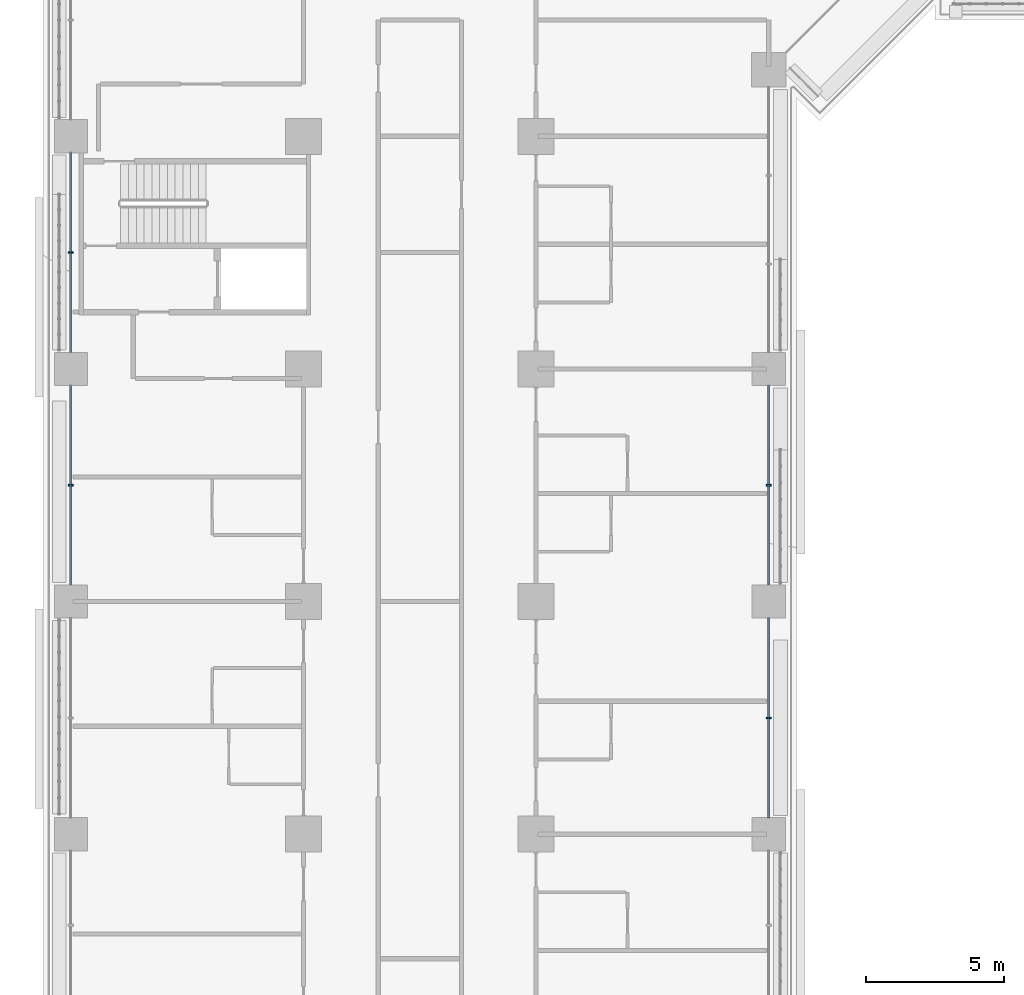
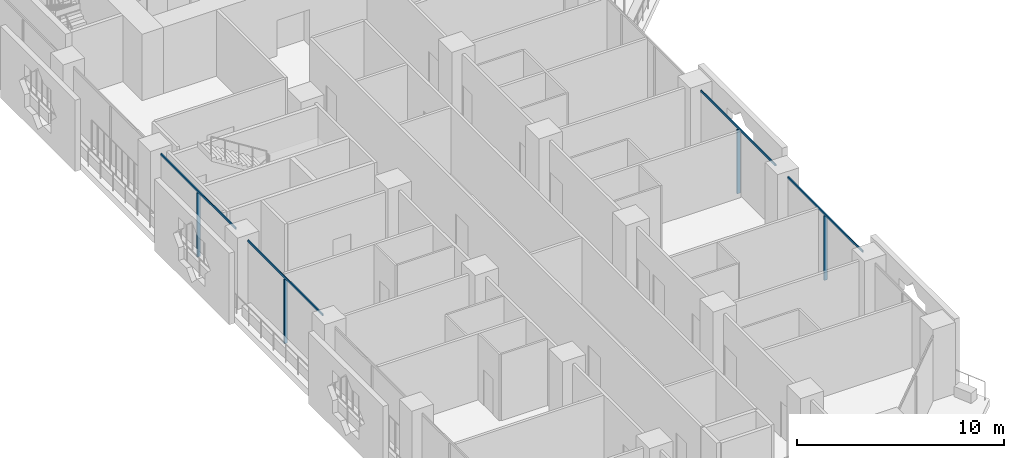
# One storey, part 3 of 29: 8 members, 2 elements without a shape of their own.
"""IFC4 building model written with IfcOpenShell, lengths in metres."""

from ifc_helpers import new_model, si_unit, direction, frame, origin, origin_2d, place, context, subcontext, project, spatial, rectangle, extrude, material, layer, layer_set, material_profile, profile_set, type_object, element, aggregate, save


model = new_model("IFC4")

# Units and contexts
model_context = context("Model", 3, precision=1e-05, world=origin(), true_north=direction((0.0, 1.0)))
body_context = subcontext(model_context, "Body", "Model", "MODEL_VIEW")
ifc_project = project(units=[si_unit("LENGTHUNIT", "METRE"), si_unit("AREAUNIT", "SQUARE_METRE"), si_unit("VOLUMEUNIT", "CUBIC_METRE"), si_unit("PLANEANGLEUNIT", "RADIAN"), si_unit("MASSUNIT", "GRAM", prefix="KILO")], contexts=[model_context])

# Site, building, storey
site_placement = place(None, origin())
site = spatial("IfcSite", under=ifc_project, at=site_placement, CompositionType="ELEMENT")
building_placement = place(site_placement, origin())
building = spatial("IfcBuilding", under=site, at=building_placement, Name="Kawkab Arch Medical Tower", CompositionType="ELEMENT")
storey_placement = place(building_placement, frame((0.0, 0.0, 64.39990234375)))
storey = spatial("IfcBuildingStorey", under=building, at=storey_placement, Name="L14", CompositionType="ELEMENT", Elevation=64.39990234375)

# Curtain wall, members
ifc_material_1 = material(Name="Bronze anodised aluminium curtain wall frame", Category="aluminium")
ifc_layer = layer(ifc_material_1, 0.159912109375)
ifc_layer_set = layer_set([ifc_layer], Name="Bronze anodised aluminium curtain wall frame")
curtain_wall_type = type_object("IfcCurtainWallType", Name="CW1 ward curtain wall", PredefinedType="NOTDEFINED", material=ifc_layer_set)
placement = place(storey_placement, origin())
curtain_wall_1 = element("IfcCurtainWall", 1, at=placement, inside=storey, type_object=curtain_wall_type, Name="CW1 Ward curtain wall R01", PredefinedType="NOTDEFINED")
ifc_material_2 = material(Name="Bronze anodised aluminium curtain wall frame", Category="aluminium")
ifc_material_profile_1 = material_profile(ifc_material_2, rectangle(XDim=0.179931640625, YDim=0.06005859375, at=origin_2d()), Name="AL 60x180")
ifc_profile_set_1 = profile_set([ifc_material_profile_1], Name="Bronze anodised aluminium curtain wall frame")
member_type_1 = type_object("IfcMemberType", Name="CW1 mullion 60 x 180", PredefinedType="MULLION", material=ifc_profile_set_1)
member_1_placement = place(storey_placement, frame((0.0, -37.800048828125, 0.0), z_axis=(0.0, 0.0, 1.0), x_axis=(1.0, 0.0, 0.0)))
member_1 = element("IfcMember", 2, at=member_1_placement, type_object=member_type_1, Name="CW1 mullion 4.1", PredefinedType="MULLION", context=body_context, shape_type="SweptSolid", body=[
    extrude(rectangle(XDim=0.179931640625, YDim=0.06005859375, at=origin_2d()), origin(), (0.0, 0.0, 1.0), 3.780029296875),
])
member_2_placement = place(storey_placement, frame((0.0, -46.199951171875, 0.0), z_axis=(0.0, 0.0, 1.0), x_axis=(1.0, 0.0, 0.0)))
member_2 = element("IfcMember", 3, at=member_2_placement, type_object=member_type_1, Name="CW1 mullion 5.1", PredefinedType="MULLION", context=body_context, shape_type="SweptSolid", body=[
    extrude(rectangle(XDim=0.179931640625, YDim=0.06005859375, at=origin_2d()), origin(), (0.0, 0.0, 1.0), 3.780029296875),
])

curtain_wall_2 = element("IfcCurtainWall", 4, at=placement, inside=storey, type_object=curtain_wall_type, Name="CW1 Ward curtain wall R05", PredefinedType="NOTDEFINED")
member_3_placement = place(storey_placement, frame((25.199951171875, -54.60009765625, 0.0), z_axis=(0.0, 0.0, 1.0), x_axis=(-1.0, 0.0, 0.0)))
member_3 = element("IfcMember", 5, at=member_3_placement, type_object=member_type_1, Name="CW1 mullion 2.1", PredefinedType="MULLION", context=body_context, shape_type="SweptSolid", body=[
    extrude(rectangle(XDim=0.179931640625, YDim=0.06005859375, at=origin_2d()), origin(), (0.0, 0.0, 1.0), 3.780029296875),
])
member_4_placement = place(storey_placement, frame((25.199951171875, -46.199951171875, 0.0), z_axis=(0.0, 0.0, 1.0), x_axis=(-1.0, 0.0, 0.0)))
member_4 = element("IfcMember", 6, at=member_4_placement, type_object=member_type_1, Name="CW1 mullion 3.1", PredefinedType="MULLION", context=body_context, shape_type="SweptSolid", body=[
    extrude(rectangle(XDim=0.179931640625, YDim=0.06005859375, at=origin_2d()), origin(), (0.0, 0.0, 1.0), 3.780029296875),
])

# Member
ifc_material_3 = material(Name="Bronze anodised aluminium curtain wall frame", Category="aluminium")
ifc_material_profile_2 = material_profile(ifc_material_3, rectangle(XDim=0.06005859375, YDim=0.1201171875, at=origin_2d()), Name="AL 60x120")
ifc_profile_set_2 = profile_set([ifc_material_profile_2], Name="Bronze anodised aluminium curtain wall frame")
member_type_2 = type_object("IfcMemberType", Name="CW1 transom 120 x 60", PredefinedType="USERDEFINED", material=ifc_profile_set_2)
member_5_placement = place(storey_placement, frame((0.0, -34.199951171875, 3.840087890625), z_axis=(0.0, -1.0, 0.0), x_axis=(1.0, 0.0, 0.0)))
member_5 = element("IfcMember", 7, at=member_5_placement, type_object=member_type_2, Name="CW1 transom 4", ObjectType="TRANSOM", PredefinedType="USERDEFINED", context=body_context, shape_type="SweptSolid", body=[
    extrude(rectangle(XDim=0.06005859375, YDim=0.1201171875, at=origin_2d()), origin(), (0.0, 0.0, 1.0), 7.199951171875),
])

member_6_placement = place(storey_placement, frame((0.0, -42.60009765625, 3.840087890625), z_axis=(0.0, -1.0, 0.0), x_axis=(1.0, 0.0, 0.0)))
member_6 = element("IfcMember", 8, at=member_6_placement, type_object=member_type_2, Name="CW1 transom 5", ObjectType="TRANSOM", PredefinedType="USERDEFINED", context=body_context, shape_type="SweptSolid", body=[
    extrude(rectangle(XDim=0.06005859375, YDim=0.1201171875, at=origin_2d()), origin(), (0.0, 0.0, 1.0), 7.199951171875),
])

aggregate(curtain_wall_1, [member_5, member_1, member_6, member_2])

member_7_placement = place(storey_placement, frame((25.199951171875, -58.199951171875, 3.840087890625), z_axis=(0.0, 1.0, 0.0), x_axis=(-1.0, 0.0, 0.0)))
member_7 = element("IfcMember", 9, at=member_7_placement, type_object=member_type_2, Name="CW1 transom 2", ObjectType="TRANSOM", PredefinedType="USERDEFINED", context=body_context, shape_type="SweptSolid", body=[
    extrude(rectangle(XDim=0.06005859375, YDim=0.1201171875, at=origin_2d()), origin(), (0.0, 0.0, 1.0), 7.199951171875),
])

member_8_placement = place(storey_placement, frame((25.199951171875, -49.800048828125, 3.840087890625), z_axis=(0.0, 1.0, 0.0), x_axis=(-1.0, 0.0, 0.0)))
member_8 = element("IfcMember", 10, at=member_8_placement, type_object=member_type_2, Name="CW1 transom 3", ObjectType="TRANSOM", PredefinedType="USERDEFINED", context=body_context, shape_type="SweptSolid", body=[
    extrude(rectangle(XDim=0.06005859375, YDim=0.1201171875, at=origin_2d()), origin(), (0.0, 0.0, 1.0), 7.199951171875),
])

aggregate(curtain_wall_2, [member_7, member_3, member_8, member_4])

save(model, "model.ifc")
